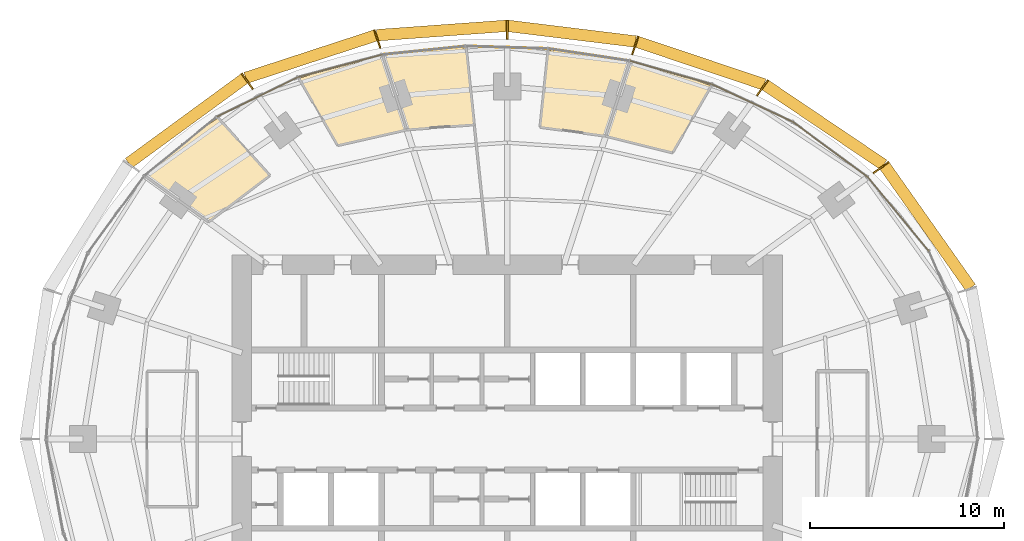
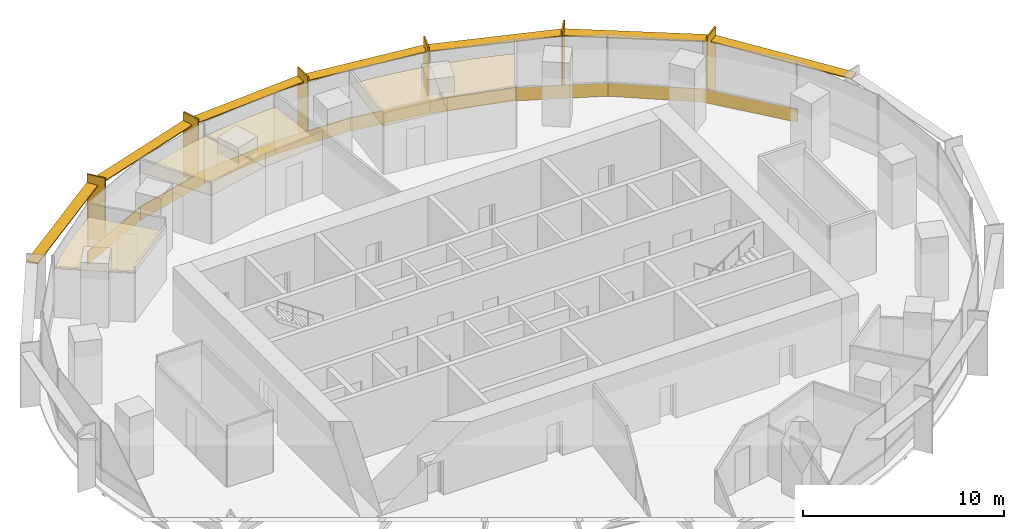
# One storey, part 15 of 15: 14 coverings, 13 shading devices.
"""IFC4 building model written with IfcOpenShell, lengths in metres."""

from ifc_helpers import new_model, si_unit, direction, frame, origin, origin_2d, place, context, subcontext, project, spatial, polyline, rectangle, outline, extrude, material, layer, layer_set, type_object, element, save


model = new_model("IFC4")

# Units and contexts
model_context = context("Model", 3, precision=1e-05, world=origin(), true_north=direction((0.0, 1.0)))
body_context = subcontext(model_context, "Body", "Model", "MODEL_VIEW")
ifc_project = project(units=[si_unit("LENGTHUNIT", "METRE"), si_unit("AREAUNIT", "SQUARE_METRE"), si_unit("VOLUMEUNIT", "CUBIC_METRE"), si_unit("PLANEANGLEUNIT", "RADIAN"), si_unit("MASSUNIT", "GRAM", prefix="KILO")], contexts=[model_context])

# Site, building, storey
site_placement = place(None, origin())
site = spatial("IfcSite", under=ifc_project, at=site_placement, CompositionType="ELEMENT")
building_placement = place(site_placement, origin())
building = spatial("IfcBuilding", under=site, at=building_placement, Name="Marramba Exchange Tower", CompositionType="ELEMENT")
storey_placement = place(building_placement, frame((0.0, 0.0, 191.60009765625)))
storey = spatial("IfcBuildingStorey", under=building, at=storey_placement, Name="L46", CompositionType="ELEMENT", Elevation=191.60009765625)

# Shading devices
ifc_material_1 = material(Name="Aluminium blade, timber-look bronze finish", Category="wood")
ifc_layer_1 = layer(ifc_material_1, 0.080078125)
ifc_layer_set_1 = layer_set([ifc_layer_1], Name="Floor-edge blade 1000x80")
shading_device_type_1 = type_object("IfcShadingDeviceType", Name="Floor-edge blade 1000x80", PredefinedType="USERDEFINED", material=ifc_layer_set_1)
for number, where, z_axis, x_axis, name in (
    (1, (19.298828125, 14.021484375, -0.16015625), (0.0, 0.0, 1.0), (0.809016994375, 0.587785252292, 0.0), "Floor-edge blade FB1 L46 TC03"),
    (2, (13.176513671875, 18.135986328125, -0.16015625), (0.0, 0.0, 1.0), (0.587785252292, 0.809016994375, 0.0), "Floor-edge blade FB1 L46 TC04"),
    (3, (6.605712890625, 20.330078125, -0.16015625), (0.0, 0.0, 1.0), (0.309016994375, 0.951056516295, 0.0), "Floor-edge blade FB1 L46 TC05"),
    (4, (0.0, 21.13623046875, -0.16015625), (0.0, 0.0, 1.0), (0.0, 1.0, 0.0), "Floor-edge blade FB1 L46 TC06"),
    (5, (-6.7119140625, 20.657470703125, -0.16015625), (0.0, 0.0, 1.0), (-0.309016994375, 0.951056516295, 0.0), "Floor-edge blade FB1 L46 TC07"),
    (6, (-13.422607421875, 18.474609375, -0.16015625), (0.0, 0.0, 1.0), (-0.587785252292, 0.809016994375, 0.0), "Floor-edge blade FB1 L46 TC08"),
):
    element("IfcShadingDevice", number, at=place(storey_placement, frame(where, z_axis=z_axis, x_axis=x_axis)), inside=storey, type_object=shading_device_type_1, Name=name, ObjectType="FIN", PredefinedType="USERDEFINED", context=body_context, shape_type="SweptSolid", body=[
        extrude(rectangle(XDim=1.0, YDim=0.080078125, at=origin_2d()), origin(), (0.0, 0.0, 1.0), 3.89990234375),
    ])
ifc_material_2 = material(Name="Aluminium sunshade, bronze anodised", Category="aluminium")
ifc_layer_2 = layer(ifc_material_2, 0.06005859375)
ifc_layer_set_2 = layer_set([ifc_layer_2], Name="SUNSHADE blade 600x60")
shading_device_type_2 = type_object("IfcShadingDeviceType", Name="SUNSHADE blade 600x60", PredefinedType="USERDEFINED", material=ifc_layer_set_2)
shading_device_1_placement = place(storey_placement, frame((21.703857421875, 10.9599609375, 3.159912109375), z_axis=(0.0, 0.0, 1.0), x_axis=(-0.576555118613, 0.81705825692, 0.0)))
element("IfcShadingDevice", 7, at=shading_device_1_placement, inside=storey, type_object=shading_device_type_2, Name="Sunshade SS1 L46 bay 02", ObjectType="SUNSHADE", PredefinedType="USERDEFINED", context=body_context, shape_type="SweptSolid", body=[
    extrude(rectangle(XDim=7.70166015625, YDim=0.60009765625, at=origin_2d()), origin(), (0.0, 0.0, 1.0), 0.06005859375),
])
shading_device_2_placement = place(storey_placement, frame((16.37744140625, 16.218505859375, 3.159912109375), z_axis=(0.0, 0.0, 1.0), x_axis=(-0.829071447151, 0.559142679035, 0.0)))
element("IfcShadingDevice", 8, at=shading_device_2_placement, inside=storey, type_object=shading_device_type_2, Name="Sunshade SS1 L46 bay 03", ObjectType="SUNSHADE", PredefinedType="USERDEFINED", context=body_context, shape_type="SweptSolid", body=[
    extrude(rectangle(XDim=7.35791015625, YDim=0.60009765625, at=origin_2d()), origin(), (0.0, 0.0, 1.0), 0.06005859375),
])
shading_device_3_placement = place(storey_placement, frame((9.980712890625, 19.4091796875, 3.159912109375), z_axis=(0.0, 0.0, 1.0), x_axis=(-0.948096437223, 0.317982933073, 0.0)))
element("IfcShadingDevice", 9, at=shading_device_3_placement, inside=storey, type_object=shading_device_type_2, Name="Sunshade SS1 L46 bay 04", ObjectType="SUNSHADE", PredefinedType="USERDEFINED", context=body_context, shape_type="SweptSolid", body=[
    extrude(rectangle(XDim=6.909423828125, YDim=0.60009765625, at=origin_2d()), origin(), (0.0, 0.0, 1.0), 0.06005859375),
])
shading_device_4_placement = place(storey_placement, frame((3.333740234375, 20.92822265625, 3.159912109375), z_axis=(0.0, 0.0, 1.0), x_axis=(-0.992595256045, 0.121468751853, 0.0)))
element("IfcShadingDevice", 10, at=shading_device_4_placement, inside=storey, type_object=shading_device_type_2, Name="Sunshade SS1 L46 bay 05", ObjectType="SUNSHADE", PredefinedType="USERDEFINED", context=body_context, shape_type="SweptSolid", body=[
    extrude(rectangle(XDim=6.63720703125, YDim=0.60009765625, at=origin_2d()), origin(), (0.0, 0.0, 1.0), 0.06005859375),
])
shading_device_5_placement = place(storey_placement, frame((-3.386962890625, 21.092041015625, 3.159912109375), z_axis=(0.0, 0.0, 1.0), x_axis=(-0.997407641713, -0.071958295234, 0.0)))
element("IfcShadingDevice", 11, at=shading_device_5_placement, inside=storey, type_object=shading_device_type_2, Name="Sunshade SS1 L46 bay 06", ObjectType="SUNSHADE", PredefinedType="USERDEFINED", context=body_context, shape_type="SweptSolid", body=[
    extrude(rectangle(XDim=6.71142578125, YDim=0.60009765625, at=origin_2d()), origin(), (0.0, 0.0, 1.0), 0.06005859375),
])
shading_device_6_placement = place(storey_placement, frame((-10.156982421875, 19.741943359375, 3.159912109375), z_axis=(0.0, 0.0, 1.0), x_axis=(-0.950537602937, -0.310609506297, 0.0)))
element("IfcShadingDevice", 12, at=shading_device_6_placement, inside=storey, type_object=shading_device_type_2, Name="Sunshade SS1 L46 bay 07", ObjectType="SUNSHADE", PredefinedType="USERDEFINED", context=body_context, shape_type="SweptSolid", body=[
    extrude(rectangle(XDim=7.03857421875, YDim=0.60009765625, at=origin_2d()), origin(), (0.0, 0.0, 1.0), 0.06005859375),
])
shading_device_7_placement = place(storey_placement, frame((-16.55810546875, 16.4296875, 3.159912109375), z_axis=(0.0, 0.0, 1.0), x_axis=(-0.80719390073, -0.59028637679, 0.0)))
element("IfcShadingDevice", 13, at=shading_device_7_placement, inside=storey, type_object=shading_device_type_2, Name="Sunshade SS1 L46 bay 08", ObjectType="SUNSHADE", PredefinedType="USERDEFINED", context=body_context, shape_type="SweptSolid", body=[
    extrude(rectangle(XDim=7.3974609375, YDim=0.60009765625, at=origin_2d()), origin(), (0.0, 0.0, 1.0), 0.06005859375),
])

# Coverings
ifc_material_3 = material(Name="Aluminium spandrel panel, bronze anodised, insulated", Category="aluminium")
ifc_layer_3 = layer(ifc_material_3, 0.050048828125)
ifc_layer_set_3 = layer_set([ifc_layer_3], Name="Spandrel panel 800")
covering_type_1 = type_object("IfcCoveringType", Name="Spandrel panel 800", PredefinedType="CLADDING", material=ifc_layer_set_3)
covering_1_placement = place(storey_placement, frame((20.193603515625, 11.608642578125, 0.0), z_axis=(0.0, 0.0, 1.0), x_axis=(-0.637350224586, 0.770574260678, 0.0)))
element("IfcCovering", 14, at=covering_1_placement, inside=storey, type_object=covering_type_1, Name="Spandrel panel SP1 L46 F03", PredefinedType="CLADDING", context=body_context, shape_type="SweptSolid", body=[
    extrude(rectangle(XDim=4.9658203125, YDim=0.050048828125, at=origin_2d()), origin(), (0.0, 0.0, 1.0), 0.800048828125),
])
covering_2_placement = place(storey_placement, frame((16.677001953125, 14.94775390625, 0.0), z_axis=(0.0, 0.0, 1.0), x_axis=(-0.804877256733, 0.593441321104, 0.0)))
element("IfcCovering", 15, at=covering_2_placement, inside=storey, type_object=covering_type_1, Name="Spandrel panel SP1 L46 F04", PredefinedType="CLADDING", context=body_context, shape_type="SweptSolid", body=[
    extrude(rectangle(XDim=4.805908203125, YDim=0.050048828125, at=origin_2d()), origin(), (0.0, 0.0, 1.0), 0.800048828125),
])
covering_3_placement = place(storey_placement, frame((12.65869140625, 17.344482421875, 0.0), z_axis=(0.0, 0.0, 1.0), x_axis=(-0.906533903661, 0.422133014005, 0.0)))
element("IfcCovering", 16, at=covering_3_placement, inside=storey, type_object=covering_type_1, Name="Spandrel panel SP1 L46 F05", PredefinedType="CLADDING", context=body_context, shape_type="SweptSolid", body=[
    extrude(rectangle(XDim=4.5986328125, YDim=0.050048828125, at=origin_2d()), origin(), (0.0, 0.0, 1.0), 0.800048828125),
])
covering_4_placement = place(storey_placement, frame((8.45849609375, 18.91845703125, 0.0), z_axis=(0.0, 0.0, 1.0), x_axis=(-0.961658952783, 0.274248169607, 0.0)))
element("IfcCovering", 17, at=covering_4_placement, inside=storey, type_object=covering_type_1, Name="Spandrel panel SP1 L46 F06", PredefinedType="CLADDING", context=body_context, shape_type="SweptSolid", body=[
    extrude(rectangle(XDim=4.39990234375, YDim=0.050048828125, at=origin_2d()), origin(), (0.0, 0.0, 1.0), 0.800048828125),
])
covering_5_placement = place(storey_placement, frame((4.230712890625, 19.839599609375, 0.0), z_axis=(0.0, 0.0, 1.0), x_axis=(-0.988868065308, 0.148794991224, 0.0)))
element("IfcCovering", 18, at=covering_5_placement, inside=storey, type_object=covering_type_1, Name="Spandrel panel SP1 L46 F07", PredefinedType="CLADDING", context=body_context, shape_type="SweptSolid", body=[
    extrude(rectangle(XDim=4.27197265625, YDim=0.050048828125, at=origin_2d()), origin(), (0.0, 0.0, 1.0), 0.800048828125),
])
covering_6_placement = place(storey_placement, frame((-0.0068359375, 20.221923828125, 0.0), z_axis=(0.0, 0.0, 1.0), x_axis=(-0.999537999985, 0.030393857689, 0.0)))
element("IfcCovering", 19, at=covering_6_placement, inside=storey, type_object=covering_type_1, Name="Spandrel panel SP1 L46 F08", PredefinedType="CLADDING", context=body_context, shape_type="SweptSolid", body=[
    extrude(rectangle(XDim=4.252685546875, YDim=0.050048828125, at=origin_2d()), origin(), (0.0, 0.0, 1.0), 0.800048828125),
])
covering_7_placement = place(storey_placement, frame((-4.290771484375, 20.06787109375, 0.0), z_axis=(0.0, 0.0, 1.0), x_axis=(-0.994900357732, -0.10086266993, 0.0)))
element("IfcCovering", 20, at=covering_7_placement, inside=storey, type_object=covering_type_1, Name="Spandrel panel SP1 L46 F09", PredefinedType="CLADDING", context=body_context, shape_type="SweptSolid", body=[
    extrude(rectangle(XDim=4.33935546875, YDim=0.050048828125, at=origin_2d()), origin(), (0.0, 0.0, 1.0), 0.800048828125),
])
covering_8_placement = place(storey_placement, frame((-8.620361328125, 19.27001953125, 0.0), z_axis=(0.0, 0.0, 1.0), x_axis=(-0.966240651433, -0.257641230237, 0.0)))
element("IfcCovering", 21, at=covering_8_placement, inside=storey, type_object=covering_type_1, Name="Spandrel panel SP1 L46 F10", PredefinedType="CLADDING", context=body_context, shape_type="SweptSolid", body=[
    extrude(rectangle(XDim=4.49365234375, YDim=0.050048828125, at=origin_2d()), origin(), (0.0, 0.0, 1.0), 0.800048828125),
])
covering_9_placement = place(storey_placement, frame((-12.88818359375, 17.666748046875, 0.0), z_axis=(0.0, 0.0, 1.0), x_axis=(-0.898500520314, -0.438972453572, 0.0)))
element("IfcCovering", 22, at=covering_9_placement, inside=storey, type_object=covering_type_1, Name="Spandrel panel SP1 L46 F11", PredefinedType="CLADDING", context=body_context, shape_type="SweptSolid", body=[
    extrude(rectangle(XDim=4.667236328125, YDim=0.050048828125, at=origin_2d()), origin(), (0.0, 0.0, 1.0), 0.800048828125),
])
ifc_material_4 = material(Name="Mineral fibre ceiling tiles", Category="gypsum")
ifc_layer_4 = layer(ifc_material_4, 0.02001953125)
ifc_layer_set_4 = layer_set([ifc_layer_4], Name="Suspended ceiling 20")
covering_type_2 = type_object("IfcCoveringType", Name="Suspended ceiling 20", PredefinedType="CEILING", material=ifc_layer_set_4)
covering_10_placement = place(storey_placement, frame((0.0, 0.0, 2.89990234375)))
element("IfcCovering", 23, at=covering_10_placement, inside=storey, type_object=covering_type_2, Name="Ceiling CL1 L46 Office 1", PredefinedType="CEILING", context=body_context, shape_type="SweptSolid", body=[
    extrude(outline(polyline([(6.87548828125, 19.31787109375), (7.371826171875, 19.2041015625), (7.894287109375, 19.06591796875), (8.426025390625, 18.92529296875), (8.8544921875, 18.7958984375), (9.480712890625, 18.60693359375), (10.5341796875, 18.245849609375), (8.5341796875, 14.78173828125), (5.082275390625, 15.641357421875), (6.318359375, 19.445556640625), (6.87548828125, 19.31787109375)])), origin(), (0.0, 0.0, 1.0), 0.02001953125),
])
covering_11_placement = place(storey_placement, frame((0.0, 0.0, 2.89990234375)))
element("IfcCovering", 24, at=covering_11_placement, inside=storey, type_object=covering_type_2, Name="Ceiling CL1 L46 Office 2", PredefinedType="CEILING", context=body_context, shape_type="SweptSolid", body=[
    extrude(outline(polyline([(2.362060546875, 20.051513671875), (3.16259765625, 19.96728515625), (4.214111328125, 19.82568359375), (5.265869140625, 19.65234375), (5.798095703125, 19.5478515625), (6.318359375, 19.445556640625), (5.082275390625, 15.641357421875), (1.692138671875, 16.099609375), (2.1103515625, 20.077880859375), (2.362060546875, 20.051513671875)])), origin(), (0.0, 0.0, 1.0), 0.02001953125),
])
covering_12_placement = place(storey_placement, frame((0.0, 0.0, 2.89990234375)))
element("IfcCovering", 25, at=covering_12_placement, inside=storey, type_object=covering_type_2, Name="Ceiling CL1 L46 Office 3", PredefinedType="CEILING", context=body_context, shape_type="SweptSolid", body=[
    extrude(outline(polyline([(-6.114501953125, 19.8212890625), (-5.34326171875, 19.941650390625), (-4.265625, 20.068603515625), (-3.1923828125, 20.15625), (-2.892822265625, 20.17041015625), (-2.123779296875, 20.20703125), (-1.705810546875, 16.22900390625), (-5.1884765625, 15.96875), (-6.424560546875, 19.77294921875), (-6.114501953125, 19.8212890625)])), origin(), (0.0, 0.0, 1.0), 0.02001953125),
])
covering_13_placement = place(storey_placement, frame((0.0, 0.0, 2.89990234375)))
element("IfcCovering", 26, at=covering_13_placement, inside=storey, type_object=covering_type_2, Name="Ceiling CL1 L46 Office 4", PredefinedType="CEILING", context=body_context, shape_type="SweptSolid", body=[
    extrude(outline(polyline([(-9.67431640625, 18.98681640625), (-9.112060546875, 19.148681640625), (-8.59228515625, 19.29833984375), (-7.59326171875, 19.538818359375), (-7.50830078125, 19.559326171875), (-6.424560546875, 19.77294921875), (-5.1884765625, 15.96875), (-8.75146484375, 15.15771484375), (-10.75146484375, 18.621826171875), (-9.67431640625, 18.98681640625)])), origin(), (0.0, 0.0, 1.0), 0.02001953125),
])
covering_14_placement = place(storey_placement, frame((0.0, 0.0, 2.89990234375)))
element("IfcCovering", 27, at=covering_14_placement, inside=storey, type_object=covering_type_2, Name="Ceiling CL1 L46 Office 5", PredefinedType="CEILING", context=body_context, shape_type="SweptSolid", body=[
    extrude(outline(polyline([(-18.595947265625, 13.62255859375), (-17.79150390625, 14.4072265625), (-16.87548828125, 15.19482421875), (-15.920166015625, 15.920166015625), (-15.093994140625, 16.473876953125), (-14.931396484375, 16.5830078125), (-14.931396484375, 16.5830078125), (-12.2548828125, 13.6103515625), (-15.425537109375, 11.20751953125), (-18.66162109375, 13.55859375), (-18.595947265625, 13.62255859375)])), origin(), (0.0, 0.0, 1.0), 0.02001953125),
])

save(model, "model.ifc")
